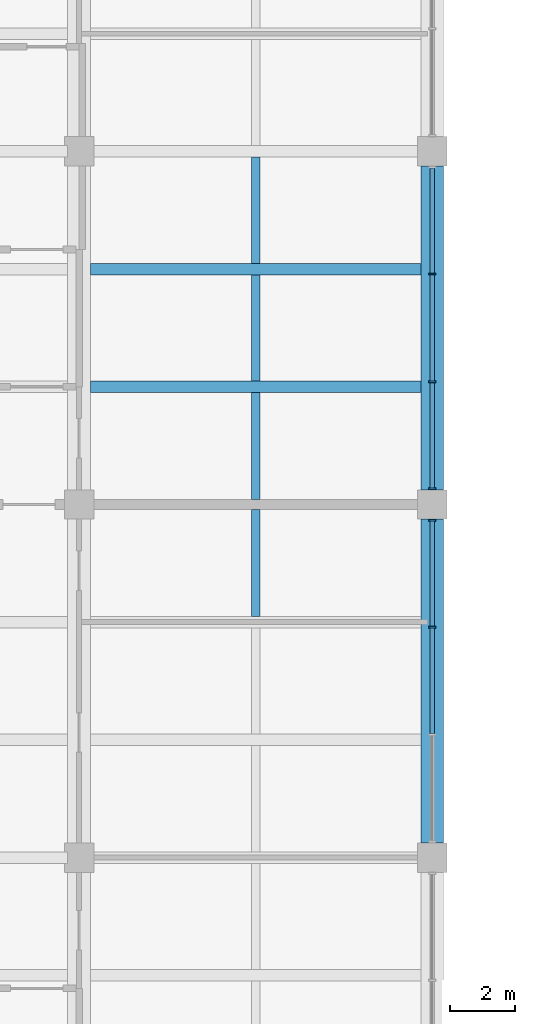
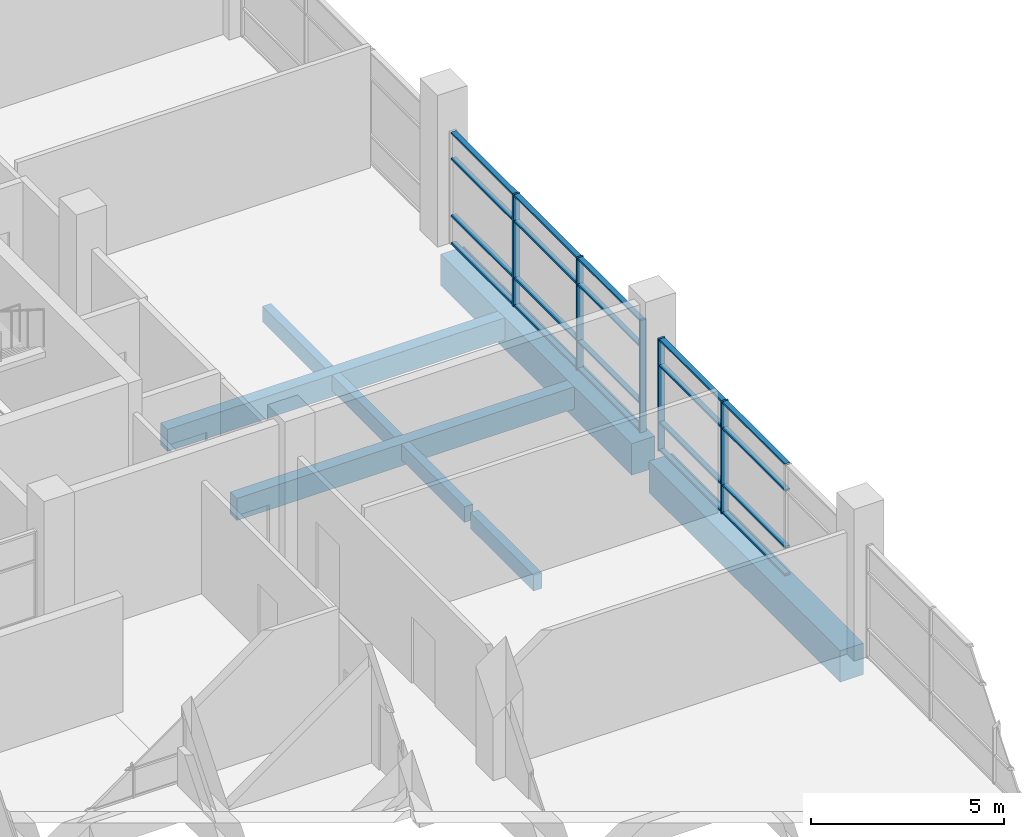
# One storey, part 4 of 22: 25 members, 8 beams, 2 elements without a shape of their own.
"""IFC4 building model written with IfcOpenShell, lengths in metres."""

from ifc_helpers import new_model, si_unit, direction, frame, origin, origin_2d, place, context, subcontext, project, spatial, rectangle, extrude, material, layer, layer_set, material_profile, profile_set, type_object, element, aggregate, save


model = new_model("IFC4")

# Units and contexts
model_context = context("Model", 3, precision=1e-05, world=origin(), true_north=direction((0.0, 1.0)))
body_context = subcontext(model_context, "Body", "Model", "MODEL_VIEW")
ifc_project = project(units=[si_unit("LENGTHUNIT", "METRE"), si_unit("AREAUNIT", "SQUARE_METRE"), si_unit("VOLUMEUNIT", "CUBIC_METRE"), si_unit("PLANEANGLEUNIT", "RADIAN"), si_unit("MASSUNIT", "GRAM", prefix="KILO")], contexts=[model_context])

# Site, building, storey
site_placement = place(None, origin())
site = spatial("IfcSite", under=ifc_project, at=site_placement, CompositionType="ELEMENT")
building_placement = place(site_placement, origin())
building = spatial("IfcBuilding", under=site, at=building_placement, Name="Basin Gate Institute", CompositionType="ELEMENT")
storey_placement = place(building_placement, frame((0.0, 0.0, 51.0)))
storey = spatial("IfcBuildingStorey", under=building, at=storey_placement, Name="L10", CompositionType="ELEMENT", Elevation=51.0)

# Beams
ifc_material_1 = material(Name="Concrete 40 MPa", Category="concrete")
ifc_material_profile_1 = material_profile(ifc_material_1, rectangle(XDim=0.35009765625, YDim=0.699951171875, at=origin_2d()), Name="Beam B1 350 x 700")
ifc_profile_set_1 = profile_set([ifc_material_profile_1], Name="Concrete 40 MPa")
beam_type_1 = type_object("IfcBeamType", Name="Beam B1 R120", PredefinedType="BEAM", material=ifc_profile_set_1)
for number, where, z_axis, x_axis, name in (
    (1, (68.75, 60.300048828125, -0.60009765625), (1.0, 0.0, 0.0), (0.0, 1.0, 0.0), "BEAM/L10/W/EW/08"),
    (2, (68.75, 63.89990234375, -0.60009765625), (1.0, 0.0, 0.0), (0.0, 1.0, 0.0), "BEAM/L10/W/EW/09"),
):
    element("IfcBeam", number, at=place(storey_placement, frame(where, z_axis=z_axis, x_axis=x_axis)), inside=storey, type_object=beam_type_1, material=ifc_profile_set_1, Name=name, PredefinedType="BEAM", context=body_context, shape_type="SweptSolid", body=[
        extrude(rectangle(XDim=0.35009765625, YDim=0.699951171875, at=origin_2d()), origin(), (0.0, 0.0, 1.0), 10.10009765625),
    ])
ifc_material_2 = material(Name="Concrete 50 MPa", Category="concrete")
ifc_material_profile_2 = material_profile(ifc_material_2, rectangle(XDim=0.699951171875, YDim=1.0, at=origin_2d()), Name="Girder G1 700 x 1000")
ifc_profile_set_2 = profile_set([ifc_material_profile_2], Name="Concrete 50 MPa")
beam_type_2 = type_object("IfcBeamType", Name="Girder G1 R120", PredefinedType="BEAM", material=ifc_profile_set_2)
beam_1_placement = place(storey_placement, frame((79.199951171875, 46.35009765625, -0.75), z_axis=(0.0, 1.0, 0.0), x_axis=(-1.0, 0.0, 0.0)))
element("IfcBeam", 3, at=beam_1_placement, inside=storey, type_object=beam_type_2, material=ifc_profile_set_2, Name="GIR/L10/W6/2", PredefinedType="BEAM", context=body_context, shape_type="SweptSolid", body=[
    extrude(rectangle(XDim=0.699951171875, YDim=1.0, at=origin_2d()), origin(), (0.0, 0.0, 1.0), 9.89990234375),
])
beam_2_placement = place(storey_placement, frame((79.199951171875, 57.14990234375, -0.75), z_axis=(0.0, 1.0, 0.0), x_axis=(-1.0, 0.0, 0.0)))
element("IfcBeam", 4, at=beam_2_placement, inside=storey, type_object=beam_type_2, material=ifc_profile_set_2, Name="GIR/L10/W6/3", PredefinedType="BEAM", context=body_context, shape_type="SweptSolid", body=[
    extrude(rectangle(XDim=0.699951171875, YDim=1.0, at=origin_2d()), origin(), (0.0, 0.0, 1.0), 9.900146484375),
])

# Curtain wall, members
ifc_material_3 = material(Name="Aluminium-framed glazing", Category="aluminium")
ifc_layer = layer(ifc_material_3, 0.199951171875)
ifc_layer_set = layer_set([ifc_layer], Name="Atrium curtain wall CW2")
curtain_wall_type = type_object("IfcCurtainWallType", Name="Atrium curtain wall CW2", PredefinedType="NOTDEFINED", material=ifc_layer_set)
curtain_wall_1_placement = place(storey_placement, origin())
curtain_wall_1 = element("IfcCurtainWall", 5, at=curtain_wall_1_placement, inside=storey, type_object=curtain_wall_type, material=ifc_layer_set, Name="Atrium curtain wall W wing atrium bay 2 L10", PredefinedType="NOTDEFINED")
ifc_material_4 = material(Name="Aluminium", Category="aluminium")
ifc_material_profile_3 = material_profile(ifc_material_4, rectangle(XDim=0.199951171875, YDim=0.06005859375, at=origin_2d()), Name="Mullion MU2 200 x 60")
ifc_profile_set_3 = profile_set([ifc_material_profile_3], Name="Aluminium")
member_type_1 = type_object("IfcMemberType", Name="Mullion MU2", PredefinedType="MULLION", material=ifc_profile_set_3)
member_1_placement = place(storey_placement, frame((79.199951171875, 52.949951171875, 0.0), z_axis=(0.0, 0.0, 1.0), x_axis=(-1.0, 0.0, 0.0)))
member_1 = element("IfcMember", 6, at=member_1_placement, type_object=member_type_1, material=ifc_profile_set_3, Name="CW2 mullion 3", PredefinedType="MULLION", context=body_context, shape_type="SweptSolid", body=[
    extrude(rectangle(XDim=0.199951171875, YDim=0.06005859375, at=origin_2d()), origin(), (0.0, 0.0, 1.0), 3.550048828125),
])
member_2_placement = place(storey_placement, frame((79.199951171875, 56.219970703125, 0.0), z_axis=(0.0, 0.0, 1.0), x_axis=(-1.0, 0.0, 0.0)))
member_2 = element("IfcMember", 7, at=member_2_placement, type_object=member_type_1, material=ifc_profile_set_3, Name="CW2 mullion 4", PredefinedType="MULLION", context=body_context, shape_type="SweptSolid", body=[
    extrude(rectangle(XDim=0.199951171875, YDim=0.06005859375, at=origin_2d()), origin(), (0.0, 0.0, 1.0), 3.550048828125),
])

curtain_wall_2_placement = place(storey_placement, origin())
curtain_wall_2 = element("IfcCurtainWall", 8, at=curtain_wall_2_placement, inside=storey, type_object=curtain_wall_type, material=ifc_layer_set, Name="Atrium curtain wall W wing atrium bay 3 L10", PredefinedType="NOTDEFINED")
member_3_placement = place(storey_placement, frame((79.199951171875, 57.179931640625, 0.0), z_axis=(0.0, 0.0, 1.0), x_axis=(-1.0, 0.0, 0.0)))
member_3 = element("IfcMember", 9, at=member_3_placement, type_object=member_type_1, material=ifc_profile_set_3, Name="CW2 mullion 1", PredefinedType="MULLION", context=body_context, shape_type="SweptSolid", body=[
    extrude(rectangle(XDim=0.199951171875, YDim=0.06005859375, at=origin_2d()), origin(), (0.0, 0.0, 1.0), 3.550048828125),
])
member_4_placement = place(storey_placement, frame((79.199951171875, 60.449951171875, 0.0), z_axis=(0.0, 0.0, 1.0), x_axis=(-1.0, 0.0, 0.0)))
member_4 = element("IfcMember", 10, at=member_4_placement, type_object=member_type_1, material=ifc_profile_set_3, Name="CW2 mullion 2", PredefinedType="MULLION", context=body_context, shape_type="SweptSolid", body=[
    extrude(rectangle(XDim=0.199951171875, YDim=0.06005859375, at=origin_2d()), origin(), (0.0, 0.0, 1.0), 3.550048828125),
])
member_5_placement = place(storey_placement, frame((79.199951171875, 63.75, 0.0), z_axis=(0.0, 0.0, 1.0), x_axis=(-1.0, 0.0, 0.0)))
member_5 = element("IfcMember", 11, at=member_5_placement, type_object=member_type_1, material=ifc_profile_set_3, Name="CW2 mullion 3", PredefinedType="MULLION", context=body_context, shape_type="SweptSolid", body=[
    extrude(rectangle(XDim=0.199951171875, YDim=0.06005859375, at=origin_2d()), origin(), (0.0, 0.0, 1.0), 3.550048828125),
])

# Beams
ifc_material_5 = material(Name="Concrete 40 MPa", Category="concrete")
ifc_material_profile_4 = material_profile(ifc_material_5, rectangle(XDim=0.25, YDim=0.5, at=origin_2d()), Name="Rib R1 250 x 500")
ifc_profile_set_4 = profile_set([ifc_material_profile_4], Name="Concrete 40 MPa")
beam_type_3 = type_object("IfcBeamType", Name="Rib R1 R120", PredefinedType="JOIST", material=ifc_profile_set_4)
beam_3_placement = place(storey_placement, frame((73.800048828125, 53.27490234375, -0.5), z_axis=(0.0, 1.0, 0.0), x_axis=(-1.0, 0.0, 0.0)))
element("IfcBeam", 12, at=beam_3_placement, inside=storey, type_object=beam_type_3, material=ifc_profile_set_4, Name="BEAM/L10/W/RIB/06", PredefinedType="JOIST", context=body_context, shape_type="SweptSolid", body=[
    extrude(rectangle(XDim=0.25, YDim=0.5, at=origin_2d()), origin(), (0.0, 0.0, 1.0), 3.275146484375),
])
beam_4_placement = place(storey_placement, frame((73.800048828125, 56.85009765625, -0.5), z_axis=(0.0, 1.0, 0.0), x_axis=(-1.0, 0.0, 0.0)))
element("IfcBeam", 13, at=beam_4_placement, inside=storey, type_object=beam_type_3, material=ifc_profile_set_4, Name="BEAM/L10/W/RIB/07", PredefinedType="JOIST", context=body_context, shape_type="SweptSolid", body=[
    extrude(rectangle(XDim=0.25, YDim=0.5, at=origin_2d()), origin(), (0.0, 0.0, 1.0), 3.27490234375),
])
for number, where, z_axis, x_axis, name in (
    (14, (73.800048828125, 60.47509765625, -0.5), (0.0, 1.0, 0.0), (-1.0, 0.0, 0.0), "BEAM/L10/W/RIB/08"),
    (15, (73.800048828125, 64.074951171875, -0.5), (0.0, 1.0, 0.0), (-1.0, 0.0, 0.0), "BEAM/L10/W/RIB/09"),
):
    element("IfcBeam", number, at=place(storey_placement, frame(where, z_axis=z_axis, x_axis=x_axis)), inside=storey, type_object=beam_type_3, material=ifc_profile_set_4, Name=name, PredefinedType="JOIST", context=body_context, shape_type="SweptSolid", body=[
        extrude(rectangle(XDim=0.25, YDim=0.5, at=origin_2d()), origin(), (0.0, 0.0, 1.0), 3.25),
    ])

# Member
ifc_material_6 = material(Name="Aluminium", Category="aluminium")
ifc_material_profile_5 = material_profile(ifc_material_6, rectangle(XDim=0.14990234375, YDim=0.06005859375, at=origin_2d()), Name="Transom TR2 150 x 60")
ifc_profile_set_5 = profile_set([ifc_material_profile_5], Name="Aluminium")
member_type_2 = type_object("IfcMemberType", Name="Transom TR2", PredefinedType="USERDEFINED", material=ifc_profile_set_5)
member_6_placement = place(storey_placement, frame((79.199951171875, 49.679931640625, 0.030029296875), z_axis=(0.0, 1.0, 0.0), x_axis=(-1.0, 0.0, 0.0)))
member_6 = element("IfcMember", 16, at=member_6_placement, type_object=member_type_2, material=ifc_profile_set_5, Name="CW2 transom 2.1", ObjectType="TRANSOM", PredefinedType="USERDEFINED", context=body_context, shape_type="SweptSolid", body=[
    extrude(rectangle(XDim=0.14990234375, YDim=0.06005859375, at=origin_2d()), origin(), (0.0, 0.0, 1.0), 3.239990234375),
])

member_7_placement = place(storey_placement, frame((79.199951171875, 49.679931640625, 0.89990234375), z_axis=(0.0, 1.0, 0.0), x_axis=(-1.0, 0.0, 0.0)))
member_7 = element("IfcMember", 17, at=member_7_placement, type_object=member_type_2, material=ifc_profile_set_5, Name="CW2 transom 2.2", ObjectType="TRANSOM", PredefinedType="USERDEFINED", context=body_context, shape_type="SweptSolid", body=[
    extrude(rectangle(XDim=0.14990234375, YDim=0.06005859375, at=origin_2d()), origin(), (0.0, 0.0, 1.0), 3.239990234375),
])

member_8_placement = place(storey_placement, frame((79.199951171875, 49.679931640625, 2.699951171875), z_axis=(0.0, 1.0, 0.0), x_axis=(-1.0, 0.0, 0.0)))
member_8 = element("IfcMember", 18, at=member_8_placement, type_object=member_type_2, material=ifc_profile_set_5, Name="CW2 transom 2.3", ObjectType="TRANSOM", PredefinedType="USERDEFINED", context=body_context, shape_type="SweptSolid", body=[
    extrude(rectangle(XDim=0.14990234375, YDim=0.06005859375, at=origin_2d()), origin(), (0.0, 0.0, 1.0), 3.239990234375),
])

member_9_placement = place(storey_placement, frame((79.199951171875, 49.679931640625, 3.52001953125), z_axis=(0.0, 1.0, 0.0), x_axis=(-1.0, 0.0, 0.0)))
member_9 = element("IfcMember", 19, at=member_9_placement, type_object=member_type_2, material=ifc_profile_set_5, Name="CW2 transom 2.4", ObjectType="TRANSOM", PredefinedType="USERDEFINED", context=body_context, shape_type="SweptSolid", body=[
    extrude(rectangle(XDim=0.14990234375, YDim=0.06005859375, at=origin_2d()), origin(), (0.0, 0.0, 1.0), 3.239990234375),
])

member_10_placement = place(storey_placement, frame((79.199951171875, 52.97998046875, 0.030029296875), z_axis=(0.0, 1.0, 0.0), x_axis=(-1.0, 0.0, 0.0)))
member_10 = element("IfcMember", 20, at=member_10_placement, type_object=member_type_2, material=ifc_profile_set_5, Name="CW2 transom 3.1", ObjectType="TRANSOM", PredefinedType="USERDEFINED", context=body_context, shape_type="SweptSolid", body=[
    extrude(rectangle(XDim=0.14990234375, YDim=0.06005859375, at=origin_2d()), origin(), (0.0, 0.0, 1.0), 3.2099609375),
])

member_11_placement = place(storey_placement, frame((79.199951171875, 52.97998046875, 0.89990234375), z_axis=(0.0, 1.0, 0.0), x_axis=(-1.0, 0.0, 0.0)))
member_11 = element("IfcMember", 21, at=member_11_placement, type_object=member_type_2, material=ifc_profile_set_5, Name="CW2 transom 3.2", ObjectType="TRANSOM", PredefinedType="USERDEFINED", context=body_context, shape_type="SweptSolid", body=[
    extrude(rectangle(XDim=0.14990234375, YDim=0.06005859375, at=origin_2d()), origin(), (0.0, 0.0, 1.0), 3.2099609375),
])

member_12_placement = place(storey_placement, frame((79.199951171875, 52.97998046875, 2.699951171875), z_axis=(0.0, 1.0, 0.0), x_axis=(-1.0, 0.0, 0.0)))
member_12 = element("IfcMember", 22, at=member_12_placement, type_object=member_type_2, material=ifc_profile_set_5, Name="CW2 transom 3.3", ObjectType="TRANSOM", PredefinedType="USERDEFINED", context=body_context, shape_type="SweptSolid", body=[
    extrude(rectangle(XDim=0.14990234375, YDim=0.06005859375, at=origin_2d()), origin(), (0.0, 0.0, 1.0), 3.2099609375),
])

member_13_placement = place(storey_placement, frame((79.199951171875, 52.97998046875, 3.52001953125), z_axis=(0.0, 1.0, 0.0), x_axis=(-1.0, 0.0, 0.0)))
member_13 = element("IfcMember", 23, at=member_13_placement, type_object=member_type_2, material=ifc_profile_set_5, Name="CW2 transom 3.4", ObjectType="TRANSOM", PredefinedType="USERDEFINED", context=body_context, shape_type="SweptSolid", body=[
    extrude(rectangle(XDim=0.14990234375, YDim=0.06005859375, at=origin_2d()), origin(), (0.0, 0.0, 1.0), 3.2099609375),
])

aggregate(curtain_wall_1, [member_1, member_2, member_6, member_7, member_8, member_9, member_10, member_11, member_12, member_13])

member_14_placement = place(storey_placement, frame((79.199951171875, 57.2099609375, 0.030029296875), z_axis=(0.0, 1.0, 0.0), x_axis=(-1.0, 0.0, 0.0)))
member_14 = element("IfcMember", 24, at=member_14_placement, type_object=member_type_2, material=ifc_profile_set_5, Name="CW2 transom 1.1", ObjectType="TRANSOM", PredefinedType="USERDEFINED", context=body_context, shape_type="SweptSolid", body=[
    extrude(rectangle(XDim=0.14990234375, YDim=0.06005859375, at=origin_2d()), origin(), (0.0, 0.0, 1.0), 3.2099609375),
])

member_15_placement = place(storey_placement, frame((79.199951171875, 57.2099609375, 0.89990234375), z_axis=(0.0, 1.0, 0.0), x_axis=(-1.0, 0.0, 0.0)))
member_15 = element("IfcMember", 25, at=member_15_placement, type_object=member_type_2, material=ifc_profile_set_5, Name="CW2 transom 1.2", ObjectType="TRANSOM", PredefinedType="USERDEFINED", context=body_context, shape_type="SweptSolid", body=[
    extrude(rectangle(XDim=0.14990234375, YDim=0.06005859375, at=origin_2d()), origin(), (0.0, 0.0, 1.0), 3.2099609375),
])

member_16_placement = place(storey_placement, frame((79.199951171875, 57.2099609375, 2.699951171875), z_axis=(0.0, 1.0, 0.0), x_axis=(-1.0, 0.0, 0.0)))
member_16 = element("IfcMember", 26, at=member_16_placement, type_object=member_type_2, material=ifc_profile_set_5, Name="CW2 transom 1.3", ObjectType="TRANSOM", PredefinedType="USERDEFINED", context=body_context, shape_type="SweptSolid", body=[
    extrude(rectangle(XDim=0.14990234375, YDim=0.06005859375, at=origin_2d()), origin(), (0.0, 0.0, 1.0), 3.2099609375),
])

member_17_placement = place(storey_placement, frame((79.199951171875, 57.2099609375, 3.52001953125), z_axis=(0.0, 1.0, 0.0), x_axis=(-1.0, 0.0, 0.0)))
member_17 = element("IfcMember", 27, at=member_17_placement, type_object=member_type_2, material=ifc_profile_set_5, Name="CW2 transom 1.4", ObjectType="TRANSOM", PredefinedType="USERDEFINED", context=body_context, shape_type="SweptSolid", body=[
    extrude(rectangle(XDim=0.14990234375, YDim=0.06005859375, at=origin_2d()), origin(), (0.0, 0.0, 1.0), 3.2099609375),
])

member_18_placement = place(storey_placement, frame((79.199951171875, 60.47998046875, 0.030029296875), z_axis=(0.0, 1.0, 0.0), x_axis=(-1.0, 0.0, 0.0)))
member_18 = element("IfcMember", 28, at=member_18_placement, type_object=member_type_2, material=ifc_profile_set_5, Name="CW2 transom 2.1", ObjectType="TRANSOM", PredefinedType="USERDEFINED", context=body_context, shape_type="SweptSolid", body=[
    extrude(rectangle(XDim=0.14990234375, YDim=0.06005859375, at=origin_2d()), origin(), (0.0, 0.0, 1.0), 3.239990234375),
])

member_19_placement = place(storey_placement, frame((79.199951171875, 60.47998046875, 0.89990234375), z_axis=(0.0, 1.0, 0.0), x_axis=(-1.0, 0.0, 0.0)))
member_19 = element("IfcMember", 29, at=member_19_placement, type_object=member_type_2, material=ifc_profile_set_5, Name="CW2 transom 2.2", ObjectType="TRANSOM", PredefinedType="USERDEFINED", context=body_context, shape_type="SweptSolid", body=[
    extrude(rectangle(XDim=0.14990234375, YDim=0.06005859375, at=origin_2d()), origin(), (0.0, 0.0, 1.0), 3.239990234375),
])

member_20_placement = place(storey_placement, frame((79.199951171875, 60.47998046875, 2.699951171875), z_axis=(0.0, 1.0, 0.0), x_axis=(-1.0, 0.0, 0.0)))
member_20 = element("IfcMember", 30, at=member_20_placement, type_object=member_type_2, material=ifc_profile_set_5, Name="CW2 transom 2.3", ObjectType="TRANSOM", PredefinedType="USERDEFINED", context=body_context, shape_type="SweptSolid", body=[
    extrude(rectangle(XDim=0.14990234375, YDim=0.06005859375, at=origin_2d()), origin(), (0.0, 0.0, 1.0), 3.239990234375),
])

member_21_placement = place(storey_placement, frame((79.199951171875, 60.47998046875, 3.52001953125), z_axis=(0.0, 1.0, 0.0), x_axis=(-1.0, 0.0, 0.0)))
member_21 = element("IfcMember", 31, at=member_21_placement, type_object=member_type_2, material=ifc_profile_set_5, Name="CW2 transom 2.4", ObjectType="TRANSOM", PredefinedType="USERDEFINED", context=body_context, shape_type="SweptSolid", body=[
    extrude(rectangle(XDim=0.14990234375, YDim=0.06005859375, at=origin_2d()), origin(), (0.0, 0.0, 1.0), 3.239990234375),
])

member_22_placement = place(storey_placement, frame((79.199951171875, 63.780029296875, 0.030029296875), z_axis=(0.0, 1.0, 0.0), x_axis=(-1.0, 0.0, 0.0)))
member_22 = element("IfcMember", 32, at=member_22_placement, type_object=member_type_2, material=ifc_profile_set_5, Name="CW2 transom 3.1", ObjectType="TRANSOM", PredefinedType="USERDEFINED", context=body_context, shape_type="SweptSolid", body=[
    extrude(rectangle(XDim=0.14990234375, YDim=0.06005859375, at=origin_2d()), origin(), (0.0, 0.0, 1.0), 3.2099609375),
])

member_23_placement = place(storey_placement, frame((79.199951171875, 63.780029296875, 0.89990234375), z_axis=(0.0, 1.0, 0.0), x_axis=(-1.0, 0.0, 0.0)))
member_23 = element("IfcMember", 33, at=member_23_placement, type_object=member_type_2, material=ifc_profile_set_5, Name="CW2 transom 3.2", ObjectType="TRANSOM", PredefinedType="USERDEFINED", context=body_context, shape_type="SweptSolid", body=[
    extrude(rectangle(XDim=0.14990234375, YDim=0.06005859375, at=origin_2d()), origin(), (0.0, 0.0, 1.0), 3.2099609375),
])

member_24_placement = place(storey_placement, frame((79.199951171875, 63.780029296875, 2.699951171875), z_axis=(0.0, 1.0, 0.0), x_axis=(-1.0, 0.0, 0.0)))
member_24 = element("IfcMember", 34, at=member_24_placement, type_object=member_type_2, material=ifc_profile_set_5, Name="CW2 transom 3.3", ObjectType="TRANSOM", PredefinedType="USERDEFINED", context=body_context, shape_type="SweptSolid", body=[
    extrude(rectangle(XDim=0.14990234375, YDim=0.06005859375, at=origin_2d()), origin(), (0.0, 0.0, 1.0), 3.2099609375),
])

member_25_placement = place(storey_placement, frame((79.199951171875, 63.780029296875, 3.52001953125), z_axis=(0.0, 1.0, 0.0), x_axis=(-1.0, 0.0, 0.0)))
member_25 = element("IfcMember", 35, at=member_25_placement, type_object=member_type_2, material=ifc_profile_set_5, Name="CW2 transom 3.4", ObjectType="TRANSOM", PredefinedType="USERDEFINED", context=body_context, shape_type="SweptSolid", body=[
    extrude(rectangle(XDim=0.14990234375, YDim=0.06005859375, at=origin_2d()), origin(), (0.0, 0.0, 1.0), 3.2099609375),
])

aggregate(curtain_wall_2, [member_3, member_4, member_5, member_14, member_15, member_16, member_17, member_18, member_19, member_20, member_21, member_22, member_23, member_24, member_25])

save(model, "model.ifc")
